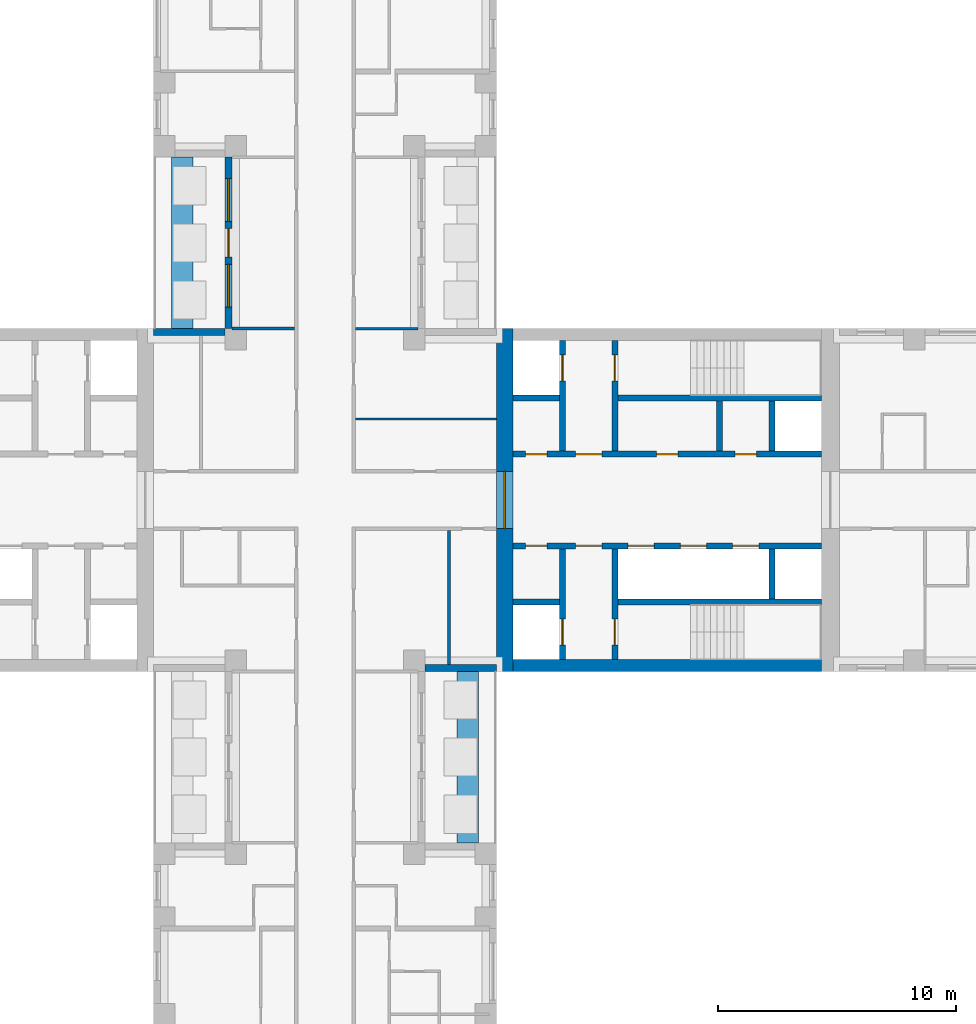
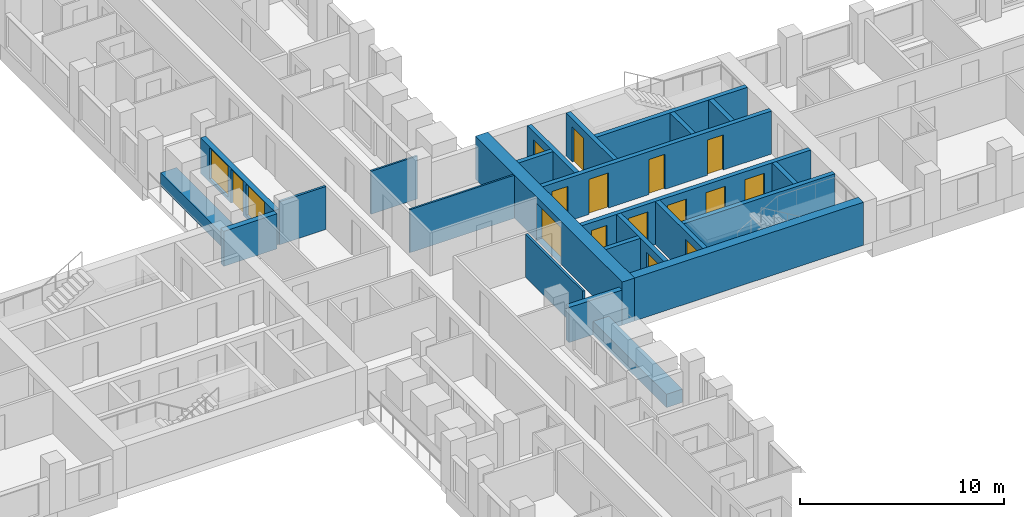
# One storey, part 8 of 15: 24 walls, 15 doors, 2 windows, 17 openings.
"""IFC4 building model written with IfcOpenShell, lengths in metres."""

from ifc_helpers import new_model, si_unit, direction, frame, frame_2d, origin, place, context, subcontext, project, spatial, rectangle, extrude, material, layer, layer_set, type_object, element, fill, save


model = new_model("IFC4")

# Units and contexts
model_context = context("Model", 3, precision=1e-05, world=origin(), true_north=direction((0.0, 1.0)))
body_context = subcontext(model_context, "Body", "Model", "MODEL_VIEW")
ifc_project = project(units=[si_unit("LENGTHUNIT", "METRE"), si_unit("AREAUNIT", "SQUARE_METRE"), si_unit("VOLUMEUNIT", "CUBIC_METRE"), si_unit("PLANEANGLEUNIT", "RADIAN"), si_unit("MASSUNIT", "GRAM", prefix="KILO")], contexts=[model_context])

# Site, building, storey
site_placement = place(None, origin())
site = spatial("IfcSite", under=ifc_project, at=site_placement, CompositionType="ELEMENT")
building_placement = place(site_placement, origin())
building = spatial("IfcBuilding", under=site, at=building_placement, Name="Fustian Cross Tower", CompositionType="ELEMENT")
storey_placement = place(building_placement, frame((0.0, 0.0, 29.699951171875)))
storey = spatial("IfcBuildingStorey", under=building, at=storey_placement, Name="L08", CompositionType="ELEMENT", Elevation=29.699951171875)

# Wall, opening, door
ifc_material_1 = material(Name="Concrete C80/95", Category="concrete")
ifc_layer_1 = layer(ifc_material_1, 0.699951171875)
ifc_layer_set_1 = layer_set([ifc_layer_1], Name="Concrete C80/95")
wall_type_1 = type_object("IfcWallType", Name="CORE END WALL 700 C80/95", PredefinedType="SHEAR", material=ifc_layer_set_1)
wall_1_placement = place(storey_placement, frame((7.550048828125, -7.199951171875, 0.0), z_axis=(0.0, 0.0, 1.0), x_axis=(0.0, 1.0, 0.0)))
wall_1 = element("IfcWall", 1, at=wall_1_placement, inside=storey, type_object=wall_type_1, Name="Core end wall", PredefinedType="SHEAR", context=body_context, shape_type="SweptSolid", body=[
    extrude(rectangle(XDim=14.39990234375, YDim=0.699951171875, at=frame_2d((7.199951171875, 0.0))), origin(), (0.0, 0.0, 1.0), 2.574951171875),
])
opening_1_placement = place(wall_1_placement, frame((6.0, 0.0, 0.0)))
opening_1 = element("IfcOpeningElement", 2, at=opening_1_placement, cuts=wall_1, Name="Opening CD-06-12", PredefinedType="OPENING", context=body_context, shape_type="SweptSolid", body=[
    extrude(rectangle(XDim=2.39990234375, YDim=2.199951171875, at=frame_2d((1.199951171875, 1.10009765625))), frame((0.0, 0.35986328125, 0.0), z_axis=(0.0, -1.0, 0.0), x_axis=(1.0, 0.0, 0.0)), (0.0, 0.0, 1.0), 0.719970703125),
])
ifc_material_2 = material(Name="Steel", Category="steel")
door_type_1 = type_object("IfcDoorType", Name="FIRE DOOR FD30S DOUBLE 2400X2200", OperationType="DOUBLE_DOOR_DOUBLE_SWING", PredefinedType="DOOR", material=ifc_material_2)
door_1_placement = place(opening_1_placement, frame((2.39990234375, 0.0, 0.0), z_axis=(0.0, 0.0, 1.0), x_axis=(-1.0, 0.0, 0.0)))
door_1 = element("IfcDoor", 3, at=door_1_placement, inside=storey, type_object=door_type_1, Name="Core door CD-06-12", OperationType="DOUBLE_DOOR_DOUBLE_SWING", OverallHeight=2.199951171875, OverallWidth=2.39990234375, PredefinedType="DOOR", context=body_context, shape_type="SweptSolid", body=[
    extrude(rectangle(XDim=2.39990234375, YDim=2.199951171875, at=frame_2d((1.199951171875, 1.10009765625))), frame((0.0, 0.02490234375, 0.0), z_axis=(0.0, -1.0, 0.0), x_axis=(1.0, 0.0, 0.0)), (0.0, 0.0, 1.0), 0.050048828125),
])
fill(opening_1, door_1)

# Wall
ifc_material_3 = material(Name="Concrete C80/95", Category="concrete")
ifc_layer_2 = layer(ifc_material_3, 0.5)
ifc_layer_set_2 = layer_set([ifc_layer_2], Name="Concrete C80/95")
wall_type_2 = type_object("IfcWallType", Name="CORE FACADE WALL 500 C80/95", PredefinedType="SHEAR", material=ifc_layer_set_2)
wall_2_placement = place(storey_placement, frame((7.89990234375, -6.949951171875, 0.0), z_axis=(0.0, 0.0, 1.0), x_axis=(1.0, 0.0, 0.0)))
element("IfcWall", 4, at=wall_2_placement, inside=storey, type_object=wall_type_2, Name="Core facade wall", PredefinedType="SHEAR", context=body_context, shape_type="SweptSolid", body=[
    extrude(rectangle(XDim=12.9501953125, YDim=0.5, at=frame_2d((6.47509765625, 0.0))), origin(), (0.0, 0.0, 1.0), 2.574951171875),
])

# Wall, openings, doors
ifc_material_4 = material(Name="Concrete C50/60", Category="concrete")
ifc_layer_3 = layer(ifc_material_4, 0.25)
ifc_layer_set_3 = layer_set([ifc_layer_3], Name="Concrete C50/60")
wall_type_3 = type_object("IfcWallType", Name="CORE LOBBY WALL 250 C50/60", PredefinedType="SHEAR", material=ifc_layer_set_3)
wall_3_placement = place(storey_placement, frame((7.89990234375, 1.925048828125, 0.0), z_axis=(0.0, 0.0, 1.0), x_axis=(1.0, 0.0, 0.0)))
wall_3 = element("IfcWall", 5, at=wall_3_placement, inside=storey, type_object=wall_type_3, Name="Core lobby wall", PredefinedType="SHEAR", context=body_context, shape_type="SweptSolid", body=[
    extrude(rectangle(XDim=12.9501953125, YDim=0.25, at=frame_2d((6.47509765625, 0.0))), origin(), (0.0, 0.0, 1.0), 2.574951171875),
])
opening_2_placement = place(wall_3_placement, frame((0.52490234375, 0.0, 0.0)))
opening_2 = element("IfcOpeningElement", 6, at=opening_2_placement, cuts=wall_3, Name="Opening CD-06-08", PredefinedType="OPENING", context=body_context, shape_type="SweptSolid", body=[
    extrude(rectangle(XDim=0.89990234375, YDim=2.10009765625, at=frame_2d((0.449951171875, 1.050048828125))), frame((0.0, 0.135009765625, 0.0), z_axis=(0.0, -1.0, 0.0), x_axis=(1.0, 0.0, 0.0)), (0.0, 0.0, 1.0), 0.27001953125),
])
opening_3_placement = place(wall_3_placement, frame((2.625, 0.0, 0.0)))
opening_3 = element("IfcOpeningElement", 7, at=opening_3_placement, cuts=wall_3, Name="Opening CD-06-10", PredefinedType="OPENING", context=body_context, shape_type="SweptSolid", body=[
    extrude(rectangle(XDim=1.10009765625, YDim=2.10009765625, at=frame_2d((0.550048828125, 1.050048828125))), frame((0.0, 0.135009765625, 0.0), z_axis=(0.0, -1.0, 0.0), x_axis=(1.0, 0.0, 0.0)), (0.0, 0.0, 1.0), 0.27001953125),
])
opening_4_placement = place(wall_3_placement, frame((6.02490234375, 0.0, 0.0)))
opening_4 = element("IfcOpeningElement", 8, at=opening_4_placement, cuts=wall_3, Name="Opening CD-06-14", PredefinedType="OPENING", context=body_context, shape_type="SweptSolid", body=[
    extrude(rectangle(XDim=0.89990234375, YDim=2.10009765625, at=frame_2d((0.449951171875, 1.050048828125))), frame((0.0, 0.135009765625, 0.0), z_axis=(0.0, -1.0, 0.0), x_axis=(1.0, 0.0, 0.0)), (0.0, 0.0, 1.0), 0.27001953125),
])
opening_5_placement = place(wall_3_placement, frame((9.324951171875, 0.0, 0.0)))
opening_5 = element("IfcOpeningElement", 9, at=opening_5_placement, cuts=wall_3, Name="Opening CD-06-15", PredefinedType="OPENING", context=body_context, shape_type="SweptSolid", body=[
    extrude(rectangle(XDim=0.89990234375, YDim=2.10009765625, at=frame_2d((0.449951171875, 1.050048828125))), frame((0.0, 0.135009765625, 0.0), z_axis=(0.0, -1.0, 0.0), x_axis=(1.0, 0.0, 0.0)), (0.0, 0.0, 1.0), 0.27001953125),
])
ifc_material_5 = material(Name="Steel", Category="steel")
door_type_2 = type_object("IfcDoorType", Name="FIRE DOOR FD30S 900X2100", OperationType="SINGLE_SWING_LEFT", PredefinedType="DOOR", material=ifc_material_5)
door_2_placement = place(opening_4_placement, origin())
door_2 = element("IfcDoor", 10, at=door_2_placement, inside=storey, type_object=door_type_2, Name="Core door CD-06-14", OperationType="SINGLE_SWING_RIGHT", OverallHeight=2.10009765625, OverallWidth=0.89990234375, PredefinedType="DOOR", context=body_context, shape_type="SweptSolid", body=[
    extrude(rectangle(XDim=0.89990234375, YDim=2.10009765625, at=frame_2d((0.449951171875, 1.050048828125))), frame((0.0, 0.02490234375, 0.0), z_axis=(0.0, -1.0, 0.0), x_axis=(1.0, 0.0, 0.0)), (0.0, 0.0, 1.0), 0.050048828125),
])
fill(opening_4, door_2)
door_3_placement = place(opening_5_placement, origin())
door_3 = element("IfcDoor", 11, at=door_3_placement, inside=storey, type_object=door_type_2, Name="Core door CD-06-15", OperationType="SINGLE_SWING_LEFT", OverallHeight=2.10009765625, OverallWidth=0.89990234375, PredefinedType="DOOR", context=body_context, shape_type="SweptSolid", body=[
    extrude(rectangle(XDim=0.89990234375, YDim=2.10009765625, at=frame_2d((0.449951171875, 1.050048828125))), frame((0.0, 0.02490234375, 0.0), z_axis=(0.0, -1.0, 0.0), x_axis=(1.0, 0.0, 0.0)), (0.0, 0.0, 1.0), 0.050048828125),
])
fill(opening_5, door_3)
ifc_material_6 = material(Name="Steel", Category="steel")
door_type_3 = type_object("IfcDoorType", Name="FIRE DOOR FD60S 1100X2100", OperationType="SINGLE_SWING_LEFT", PredefinedType="DOOR", material=ifc_material_6)
door_4_placement = place(opening_3_placement, frame((1.10009765625, 0.0, 0.0), z_axis=(0.0, 0.0, 1.0), x_axis=(-1.0, 0.0, 0.0)))
door_4 = element("IfcDoor", 12, at=door_4_placement, inside=storey, type_object=door_type_3, Name="Core door CD-06-10", OperationType="SINGLE_SWING_RIGHT", OverallHeight=2.10009765625, OverallWidth=1.10009765625, PredefinedType="DOOR", context=body_context, shape_type="SweptSolid", body=[
    extrude(rectangle(XDim=1.10009765625, YDim=2.10009765625, at=frame_2d((0.550048828125, 1.050048828125))), frame((0.0, 0.02490234375, 0.0), z_axis=(0.0, -1.0, 0.0), x_axis=(1.0, 0.0, 0.0)), (0.0, 0.0, 1.0), 0.050048828125),
])
fill(opening_3, door_4)
ifc_material_7 = material(Name="Steel", Category="steel")
door_type_4 = type_object("IfcDoorType", Name="FIRE DOOR FD60S 900X2100", OperationType="SINGLE_SWING_LEFT", PredefinedType="DOOR", material=ifc_material_7)
door_5_placement = place(opening_2_placement, origin())
door_5 = element("IfcDoor", 13, at=door_5_placement, inside=storey, type_object=door_type_4, Name="Core door CD-06-08", OperationType="SINGLE_SWING_LEFT", OverallHeight=2.10009765625, OverallWidth=0.89990234375, PredefinedType="DOOR", context=body_context, shape_type="SweptSolid", body=[
    extrude(rectangle(XDim=0.89990234375, YDim=2.10009765625, at=frame_2d((0.449951171875, 1.050048828125))), frame((0.0, 0.02490234375, 0.0), z_axis=(0.0, -1.0, 0.0), x_axis=(1.0, 0.0, 0.0)), (0.0, 0.0, 1.0), 0.050048828125),
])
fill(opening_2, door_5)

wall_4_placement = place(storey_placement, frame((7.89990234375, -1.925048828125, 0.0), z_axis=(0.0, 0.0, 1.0), x_axis=(1.0, 0.0, 0.0)))
wall_4 = element("IfcWall", 14, at=wall_4_placement, inside=storey, type_object=wall_type_3, Name="Core lobby wall", PredefinedType="SHEAR", context=body_context, shape_type="SweptSolid", body=[
    extrude(rectangle(XDim=12.9501953125, YDim=0.25, at=frame_2d((6.47509765625, 0.0))), origin(), (0.0, 0.0, 1.0), 2.574951171875),
])
opening_6_placement = place(wall_4_placement, frame((4.824951171875, 0.0, 0.0)))
opening_6 = element("IfcOpeningElement", 15, at=opening_6_placement, cuts=wall_4, Name="Opening LD", PredefinedType="OPENING", context=body_context, shape_type="SweptSolid", body=[
    extrude(rectangle(XDim=1.10009765625, YDim=2.10009765625, at=frame_2d((0.550048828125, 1.050048828125))), frame((0.0, 0.135009765625, 0.0), z_axis=(0.0, -1.0, 0.0), x_axis=(1.0, 0.0, 0.0)), (0.0, 0.0, 1.0), 0.27001953125),
])
opening_7_placement = place(wall_4_placement, frame((7.02490234375, 0.0, 0.0)))
opening_7 = element("IfcOpeningElement", 16, at=opening_7_placement, cuts=wall_4, Name="Opening LD", PredefinedType="OPENING", context=body_context, shape_type="SweptSolid", body=[
    extrude(rectangle(XDim=1.10009765625, YDim=2.10009765625, at=frame_2d((0.550048828125, 1.050048828125))), frame((0.0, 0.135009765625, 0.0), z_axis=(0.0, -1.0, 0.0), x_axis=(1.0, 0.0, 0.0)), (0.0, 0.0, 1.0), 0.27001953125),
])
opening_8_placement = place(wall_4_placement, frame((9.22509765625, 0.0, 0.0)))
opening_8 = element("IfcOpeningElement", 17, at=opening_8_placement, cuts=wall_4, Name="Opening LD", PredefinedType="OPENING", context=body_context, shape_type="SweptSolid", body=[
    extrude(rectangle(XDim=1.10009765625, YDim=2.10009765625, at=frame_2d((0.550048828125, 1.050048828125))), frame((0.0, 0.135009765625, 0.0), z_axis=(0.0, -1.0, 0.0), x_axis=(1.0, 0.0, 0.0)), (0.0, 0.0, 1.0), 0.27001953125),
])
opening_9_placement = place(wall_4_placement, frame((0.52490234375, 0.0, 0.0)))
opening_9 = element("IfcOpeningElement", 18, at=opening_9_placement, cuts=wall_4, Name="Opening CD-06-09", PredefinedType="OPENING", context=body_context, shape_type="SweptSolid", body=[
    extrude(rectangle(XDim=0.89990234375, YDim=2.10009765625, at=frame_2d((0.449951171875, 1.050048828125))), frame((0.0, 0.135009765625, 0.0), z_axis=(0.0, -1.0, 0.0), x_axis=(1.0, 0.0, 0.0)), (0.0, 0.0, 1.0), 0.27001953125),
])
opening_10_placement = place(wall_4_placement, frame((2.625, 0.0, 0.0)))
opening_10 = element("IfcOpeningElement", 19, at=opening_10_placement, cuts=wall_4, Name="Opening CD-06-11", PredefinedType="OPENING", context=body_context, shape_type="SweptSolid", body=[
    extrude(rectangle(XDim=1.10009765625, YDim=2.10009765625, at=frame_2d((0.550048828125, 1.050048828125))), frame((0.0, 0.135009765625, 0.0), z_axis=(0.0, -1.0, 0.0), x_axis=(1.0, 0.0, 0.0)), (0.0, 0.0, 1.0), 0.27001953125),
])
ifc_material_8 = material(Name="Steel", Category="steel")
door_type_5 = type_object("IfcDoorType", Name="FIRE DOOR FD30S 1100X2100", OperationType="SINGLE_SWING_LEFT", PredefinedType="DOOR", material=ifc_material_8)
door_6_placement = place(opening_10_placement, frame((1.10009765625, 0.0, 0.0), z_axis=(0.0, 0.0, 1.0), x_axis=(-1.0, 0.0, 0.0)))
door_6 = element("IfcDoor", 20, at=door_6_placement, inside=storey, type_object=door_type_5, Name="Core door CD-06-11", OperationType="SINGLE_SWING_RIGHT", OverallHeight=2.10009765625, OverallWidth=1.10009765625, PredefinedType="DOOR", context=body_context, shape_type="SweptSolid", body=[
    extrude(rectangle(XDim=1.10009765625, YDim=2.10009765625, at=frame_2d((0.550048828125, 1.050048828125))), frame((0.0, 0.02490234375, 0.0), z_axis=(0.0, -1.0, 0.0), x_axis=(1.0, 0.0, 0.0)), (0.0, 0.0, 1.0), 0.050048828125),
])
fill(opening_10, door_6)
door_7_placement = place(opening_9_placement, frame((0.89990234375, 0.0, 0.0), z_axis=(0.0, 0.0, 1.0), x_axis=(-1.0, 0.0, 0.0)))
door_7 = element("IfcDoor", 21, at=door_7_placement, inside=storey, type_object=door_type_2, Name="Core door CD-06-09", OperationType="SINGLE_SWING_RIGHT", OverallHeight=2.10009765625, OverallWidth=0.89990234375, PredefinedType="DOOR", context=body_context, shape_type="SweptSolid", body=[
    extrude(rectangle(XDim=0.89990234375, YDim=2.10009765625, at=frame_2d((0.449951171875, 1.050048828125))), frame((0.0, 0.02490234375, 0.0), z_axis=(0.0, -1.0, 0.0), x_axis=(1.0, 0.0, 0.0)), (0.0, 0.0, 1.0), 0.050048828125),
])
fill(opening_9, door_7)
ifc_material_9 = material(Name="Stainless steel", Category="steel")
door_type_6 = type_object("IfcDoorType", Name="LIFT LANDING DOOR 1100X2100", OperationType="SLIDING_TO_LEFT", PredefinedType="DOOR", material=ifc_material_9)
door_8_placement = place(opening_6_placement, origin())
door_8 = element("IfcDoor", 22, at=door_8_placement, inside=storey, type_object=door_type_6, Name="Landing door LR1", OperationType="SLIDING_TO_LEFT", OverallHeight=2.10009765625, OverallWidth=1.10009765625, PredefinedType="DOOR", context=body_context, shape_type="SweptSolid", body=[
    extrude(rectangle(XDim=1.10009765625, YDim=2.10009765625, at=frame_2d((0.550048828125, 1.050048828125))), frame((0.0, 0.02490234375, 0.0), z_axis=(0.0, -1.0, 0.0), x_axis=(1.0, 0.0, 0.0)), (0.0, 0.0, 1.0), 0.050048828125),
])
fill(opening_6, door_8)
door_9_placement = place(opening_7_placement, origin())
door_9 = element("IfcDoor", 23, at=door_9_placement, inside=storey, type_object=door_type_6, Name="Landing door LR2", OperationType="SLIDING_TO_LEFT", OverallHeight=2.10009765625, OverallWidth=1.10009765625, PredefinedType="DOOR", context=body_context, shape_type="SweptSolid", body=[
    extrude(rectangle(XDim=1.10009765625, YDim=2.10009765625, at=frame_2d((0.550048828125, 1.050048828125))), frame((0.0, 0.02490234375, 0.0), z_axis=(0.0, -1.0, 0.0), x_axis=(1.0, 0.0, 0.0)), (0.0, 0.0, 1.0), 0.050048828125),
])
fill(opening_7, door_9)
door_10_placement = place(opening_8_placement, origin())
door_10 = element("IfcDoor", 24, at=door_10_placement, inside=storey, type_object=door_type_6, Name="Landing door LR3", OperationType="SLIDING_TO_LEFT", OverallHeight=2.10009765625, OverallWidth=1.10009765625, PredefinedType="DOOR", context=body_context, shape_type="SweptSolid", body=[
    extrude(rectangle(XDim=1.10009765625, YDim=2.10009765625, at=frame_2d((0.550048828125, 1.050048828125))), frame((0.0, 0.02490234375, 0.0), z_axis=(0.0, -1.0, 0.0), x_axis=(1.0, 0.0, 0.0)), (0.0, 0.0, 1.0), 0.050048828125),
])
fill(opening_8, door_10)

# Walls
ifc_material_10 = material(Name="Concrete C50/60", Category="concrete")
ifc_layer_4 = layer(ifc_material_10, 0.25)
ifc_layer_set_4 = layer_set([ifc_layer_4], Name="Concrete C50/60")
wall_type_4 = type_object("IfcWallType", Name="CORE SHAFT WALL 250 C50/60", PredefinedType="SHEAR", material=ifc_layer_set_4)
wall_5_placement = place(storey_placement, frame((7.89990234375, 4.27490234375, 0.0), z_axis=(0.0, 0.0, 1.0), x_axis=(1.0, 0.0, 0.0)))
element("IfcWall", 25, at=wall_5_placement, inside=storey, type_object=wall_type_4, Name="Core shaft wall", PredefinedType="SHEAR", context=body_context, shape_type="SweptSolid", body=[
    extrude(rectangle(XDim=1.9501953125, YDim=0.25, at=frame_2d((0.97509765625, 0.0))), origin(), (0.0, 0.0, 1.0), 2.574951171875),
])
wall_6_placement = place(storey_placement, frame((12.300048828125, 4.27490234375, 0.0), z_axis=(0.0, 0.0, 1.0), x_axis=(1.0, 0.0, 0.0)))
element("IfcWall", 26, at=wall_6_placement, inside=storey, type_object=wall_type_4, Name="Core shaft wall", PredefinedType="SHEAR", context=body_context, shape_type="SweptSolid", body=[
    extrude(rectangle(XDim=8.550048828125, YDim=0.25, at=frame_2d((4.27490234375, 0.0))), origin(), (0.0, 0.0, 1.0), 2.574951171875),
])

# Wall, opening, door
wall_7_placement = place(storey_placement, frame((9.97509765625, 2.050048828125, 0.0), z_axis=(0.0, 0.0, 1.0), x_axis=(0.0, 1.0, 0.0)))
wall_7 = element("IfcWall", 27, at=wall_7_placement, inside=storey, type_object=wall_type_4, Name="Core shaft wall", PredefinedType="SHEAR", context=body_context, shape_type="SweptSolid", body=[
    extrude(rectangle(XDim=4.64990234375, YDim=0.25, at=frame_2d((2.324951171875, 0.0))), origin(), (0.0, 0.0, 1.0), 2.574951171875),
])
opening_11_placement = place(wall_7_placement, frame((2.949951171875, 0.0, 0.0)))
opening_11 = element("IfcOpeningElement", 28, at=opening_11_placement, cuts=wall_7, Name="Opening LD", PredefinedType="OPENING", context=body_context, shape_type="SweptSolid", body=[
    extrude(rectangle(XDim=1.10009765625, YDim=2.10009765625, at=frame_2d((0.550048828125, 1.050048828125))), frame((0.0, 0.135009765625, 0.0), z_axis=(0.0, -1.0, 0.0), x_axis=(1.0, 0.0, 0.0)), (0.0, 0.0, 1.0), 0.27001953125),
])
door_11_placement = place(opening_11_placement, origin())
door_11 = element("IfcDoor", 29, at=door_11_placement, inside=storey, type_object=door_type_6, Name="Landing door FL1", OperationType="SLIDING_TO_LEFT", OverallHeight=2.10009765625, OverallWidth=1.10009765625, PredefinedType="DOOR", context=body_context, shape_type="SweptSolid", body=[
    extrude(rectangle(XDim=1.10009765625, YDim=2.10009765625, at=frame_2d((0.550048828125, 1.050048828125))), frame((0.0, 0.02490234375, 0.0), z_axis=(0.0, -1.0, 0.0), x_axis=(1.0, 0.0, 0.0)), (0.0, 0.0, 1.0), 0.050048828125),
])
fill(opening_11, door_11)

wall_8_placement = place(storey_placement, frame((12.175048828125, 2.050048828125, 0.0), z_axis=(0.0, 0.0, 1.0), x_axis=(0.0, 1.0, 0.0)))
wall_8 = element("IfcWall", 30, at=wall_8_placement, inside=storey, type_object=wall_type_4, Name="Core shaft wall", PredefinedType="SHEAR", context=body_context, shape_type="SweptSolid", body=[
    extrude(rectangle(XDim=4.64990234375, YDim=0.25, at=frame_2d((2.324951171875, 0.0))), origin(), (0.0, 0.0, 1.0), 2.574951171875),
])
opening_12_placement = place(wall_8_placement, frame((2.949951171875, 0.0, 0.0)))
opening_12 = element("IfcOpeningElement", 31, at=opening_12_placement, cuts=wall_8, Name="Opening CD-06-06", PredefinedType="OPENING", context=body_context, shape_type="SweptSolid", body=[
    extrude(rectangle(XDim=1.10009765625, YDim=2.10009765625, at=frame_2d((0.550048828125, 1.050048828125))), frame((0.0, 0.135009765625, 0.0), z_axis=(0.0, -1.0, 0.0), x_axis=(1.0, 0.0, 0.0)), (0.0, 0.0, 1.0), 0.27001953125),
])
door_12_placement = place(opening_12_placement, frame((1.10009765625, 0.0, 0.0), z_axis=(0.0, 0.0, 1.0), x_axis=(-1.0, 0.0, 0.0)))
door_12 = element("IfcDoor", 32, at=door_12_placement, inside=storey, type_object=door_type_3, Name="Core door CD-06-06", OperationType="SINGLE_SWING_RIGHT", OverallHeight=2.10009765625, OverallWidth=1.10009765625, PredefinedType="DOOR", context=body_context, shape_type="SweptSolid", body=[
    extrude(rectangle(XDim=1.10009765625, YDim=2.10009765625, at=frame_2d((0.550048828125, 1.050048828125))), frame((0.0, 0.02490234375, 0.0), z_axis=(0.0, -1.0, 0.0), x_axis=(1.0, 0.0, 0.0)), (0.0, 0.0, 1.0), 0.050048828125),
])
fill(opening_12, door_12)

# Walls
wall_9_placement = place(storey_placement, frame((7.89990234375, -4.27490234375, 0.0), z_axis=(0.0, 0.0, 1.0), x_axis=(1.0, 0.0, 0.0)))
element("IfcWall", 33, at=wall_9_placement, inside=storey, type_object=wall_type_4, Name="Core shaft wall", PredefinedType="SHEAR", context=body_context, shape_type="SweptSolid", body=[
    extrude(rectangle(XDim=1.9501953125, YDim=0.25, at=frame_2d((0.97509765625, 0.0))), origin(), (0.0, 0.0, 1.0), 2.574951171875),
])
wall_10_placement = place(storey_placement, frame((12.300048828125, -4.27490234375, 0.0), z_axis=(0.0, 0.0, 1.0), x_axis=(1.0, 0.0, 0.0)))
element("IfcWall", 34, at=wall_10_placement, inside=storey, type_object=wall_type_4, Name="Core shaft wall", PredefinedType="SHEAR", context=body_context, shape_type="SweptSolid", body=[
    extrude(rectangle(XDim=8.550048828125, YDim=0.25, at=frame_2d((4.27490234375, 0.0))), origin(), (0.0, 0.0, 1.0), 2.574951171875),
])

# Wall, opening, door
wall_11_placement = place(storey_placement, frame((9.97509765625, -2.050048828125, 0.0), z_axis=(0.0, 0.0, 1.0), x_axis=(0.0, -1.0, 0.0)))
wall_11 = element("IfcWall", 35, at=wall_11_placement, inside=storey, type_object=wall_type_4, Name="Core shaft wall", PredefinedType="SHEAR", context=body_context, shape_type="SweptSolid", body=[
    extrude(rectangle(XDim=4.64990234375, YDim=0.25, at=frame_2d((2.324951171875, 0.0))), origin(), (0.0, 0.0, 1.0), 2.574951171875),
])
opening_13_placement = place(wall_11_placement, frame((2.949951171875, 0.0, 0.0)))
opening_13 = element("IfcOpeningElement", 36, at=opening_13_placement, cuts=wall_11, Name="Opening LD", PredefinedType="OPENING", context=body_context, shape_type="SweptSolid", body=[
    extrude(rectangle(XDim=1.10009765625, YDim=2.10009765625, at=frame_2d((0.550048828125, 1.050048828125))), frame((0.0, 0.135009765625, 0.0), z_axis=(0.0, -1.0, 0.0), x_axis=(1.0, 0.0, 0.0)), (0.0, 0.0, 1.0), 0.27001953125),
])
door_13_placement = place(opening_13_placement, origin())
door_13 = element("IfcDoor", 37, at=door_13_placement, inside=storey, type_object=door_type_6, Name="Landing door SV1", OperationType="SLIDING_TO_LEFT", OverallHeight=2.10009765625, OverallWidth=1.10009765625, PredefinedType="DOOR", context=body_context, shape_type="SweptSolid", body=[
    extrude(rectangle(XDim=1.10009765625, YDim=2.10009765625, at=frame_2d((0.550048828125, 1.050048828125))), frame((0.0, 0.02490234375, 0.0), z_axis=(0.0, -1.0, 0.0), x_axis=(1.0, 0.0, 0.0)), (0.0, 0.0, 1.0), 0.050048828125),
])
fill(opening_13, door_13)

wall_12_placement = place(storey_placement, frame((12.175048828125, -2.050048828125, 0.0), z_axis=(0.0, 0.0, 1.0), x_axis=(0.0, -1.0, 0.0)))
wall_12 = element("IfcWall", 38, at=wall_12_placement, inside=storey, type_object=wall_type_4, Name="Core shaft wall", PredefinedType="SHEAR", context=body_context, shape_type="SweptSolid", body=[
    extrude(rectangle(XDim=4.64990234375, YDim=0.25, at=frame_2d((2.324951171875, 0.0))), origin(), (0.0, 0.0, 1.0), 2.574951171875),
])
opening_14_placement = place(wall_12_placement, frame((2.949951171875, 0.0, 0.0)))
opening_14 = element("IfcOpeningElement", 39, at=opening_14_placement, cuts=wall_12, Name="Opening CD-06-07", PredefinedType="OPENING", context=body_context, shape_type="SweptSolid", body=[
    extrude(rectangle(XDim=1.10009765625, YDim=2.10009765625, at=frame_2d((0.550048828125, 1.050048828125))), frame((0.0, 0.135009765625, 0.0), z_axis=(0.0, -1.0, 0.0), x_axis=(1.0, 0.0, 0.0)), (0.0, 0.0, 1.0), 0.27001953125),
])
door_14_placement = place(opening_14_placement, origin())
door_14 = element("IfcDoor", 40, at=door_14_placement, inside=storey, type_object=door_type_3, Name="Core door CD-06-07", OperationType="SINGLE_SWING_LEFT", OverallHeight=2.10009765625, OverallWidth=1.10009765625, PredefinedType="DOOR", context=body_context, shape_type="SweptSolid", body=[
    extrude(rectangle(XDim=1.10009765625, YDim=2.10009765625, at=frame_2d((0.550048828125, 1.050048828125))), frame((0.0, 0.02490234375, 0.0), z_axis=(0.0, -1.0, 0.0), x_axis=(1.0, 0.0, 0.0)), (0.0, 0.0, 1.0), 0.050048828125),
])
fill(opening_14, door_14)

# Walls
ifc_material_11 = material(Name="Plasterboard on steel stud", Category="steel")
ifc_layer_5 = layer(ifc_material_11, 0.10009765625)
ifc_layer_set_5 = layer_set([ifc_layer_5], Name="Plasterboard on steel stud")
wall_type_5 = type_object("IfcWallType", Name="PARTITION 100 STUD", PredefinedType="PARTITIONING", material=ifc_layer_set_5)
wall_13_placement = place(storey_placement, frame((1.27490234375, 3.39990234375, 0.0), z_axis=(0.0, 0.0, 1.0), x_axis=(1.0, 0.0, 0.0)))
element("IfcWall", 41, at=wall_13_placement, inside=storey, type_object=wall_type_5, Name="Partition 56", PredefinedType="PARTITIONING", context=body_context, shape_type="SweptSolid", body=[
    extrude(rectangle(XDim=5.925048828125, YDim=0.10009765625, at=frame_2d((2.96240234375, 0.0))), origin(), (0.0, 0.0, 1.0), 2.574951171875),
])
wall_14_placement = place(storey_placement, frame((1.27490234375, 7.199951171875, 0.0), z_axis=(0.0, 0.0, 1.0), x_axis=(1.0, 0.0, 0.0)))
element("IfcWall", 42, at=wall_14_placement, inside=storey, type_object=wall_type_5, Name="Partition 57", PredefinedType="PARTITIONING", context=body_context, shape_type="SweptSolid", body=[
    extrude(rectangle(XDim=2.625, YDim=0.10009765625, at=frame_2d((1.3125, 0.0))), origin(), (0.0, 0.0, 1.0), 2.574951171875),
])
ifc_material_12 = material(Name="Concrete C40/50", Category="concrete")
ifc_layer_6 = layer(ifc_material_12, 0.89990234375)
ifc_layer_set_6 = layer_set([ifc_layer_6], Name="Concrete C40/50")
wall_type_6 = type_object("IfcWallType", Name="PK1 PLANTER 900", PredefinedType="PARAPET", material=ifc_layer_set_6)
for number, where, z_axis, x_axis, name in (
    (43, (-6.0, 7.199951171875, 0.0), (0.0, 0.0, 1.0), (0.0, 1.0, 0.0), "PLANTER"),
    (44, (6.0, -14.39990234375, 0.0), (0.0, 0.0, 1.0), (0.0, 1.0, 0.0), "PLANTER"),
):
    element("IfcWall", number, at=place(storey_placement, frame(where, z_axis=z_axis, x_axis=x_axis)), inside=storey, type_object=wall_type_6, Name=name, PredefinedType="PARAPET", context=body_context, shape_type="SweptSolid", body=[
        extrude(rectangle(XDim=7.199951171875, YDim=0.89990234375, at=frame_2d((3.60009765625, 0.0))), origin(), (0.0, 0.0, 1.0), 0.800048828125),
    ])
ifc_material_13 = material(Name="Concrete C40/50", Category="concrete")
ifc_layer_7 = layer(ifc_material_13, 0.25)
ifc_layer_set_7 = layer_set([ifc_layer_7], Name="Concrete C40/50")
wall_type_7 = type_object("IfcWallType", Name="SHAFT PARTITION WALL 250 C40/50", PredefinedType="PARTITIONING", material=ifc_layer_set_7)
for number, where, z_axis, x_axis, name in (
    (45, (16.574951171875, 2.050048828125, 0.0), (0.0, 0.0, 1.0), (0.0, 1.0, 0.0), "Core shaft wall"),
    (46, (18.77490234375, 2.050048828125, 0.0), (0.0, 0.0, 1.0), (0.0, 1.0, 0.0), "Core shaft wall"),
    (47, (18.77490234375, -2.050048828125, 0.0), (0.0, 0.0, 1.0), (0.0, -1.0, 0.0), "Core shaft wall"),
):
    element("IfcWall", number, at=place(storey_placement, frame(where, z_axis=z_axis, x_axis=x_axis)), inside=storey, type_object=wall_type_7, Name=name, PredefinedType="PARTITIONING", context=body_context, shape_type="SweptSolid", body=[
        extrude(rectangle(XDim=2.099853515625, YDim=0.25, at=frame_2d((1.0498046875, 0.0))), origin(), (0.0, 0.0, 1.0), 2.574951171875),
    ])
ifc_material_14 = material(Name="Plasterboard on steel stud", Category="steel")
ifc_layer_8 = layer(ifc_material_14, 0.125)
ifc_layer_set_8 = layer_set([ifc_layer_8], Name="Plasterboard on steel stud")
wall_type_8 = type_object("IfcWallType", Name="WET WALL 125 STUD", PredefinedType="PARTITIONING", material=ifc_layer_set_8)
wall_15_placement = place(storey_placement, frame((-3.89990234375, 7.199951171875, 0.0), z_axis=(0.0, 0.0, 1.0), x_axis=(1.0, 0.0, 0.0)))
element("IfcWall", 48, at=wall_15_placement, inside=storey, type_object=wall_type_8, Name="Partition 37", PredefinedType="PARTITIONING", context=body_context, shape_type="SweptSolid", body=[
    extrude(rectangle(XDim=2.625, YDim=0.125, at=frame_2d((1.3125, 0.0))), origin(), (0.0, 0.0, 1.0), 2.574951171875),
])
wall_16_placement = place(storey_placement, frame((5.199951171875, -6.89990234375, 0.0), z_axis=(0.0, 0.0, 1.0), x_axis=(0.0, 1.0, 0.0)))
element("IfcWall", 49, at=wall_16_placement, inside=storey, type_object=wall_type_8, Name="Partition 87", PredefinedType="PARTITIONING", context=body_context, shape_type="SweptSolid", body=[
    extrude(rectangle(XDim=5.625, YDim=0.125, at=frame_2d((2.8125, 0.0))), origin(), (0.0, 0.0, 1.0), 2.574951171875),
])

# Wall, openings, door, windows
ifc_material_15 = material(Name="Dark aluminium cladding on insulated backing wall", Category="aluminium")
ifc_layer_9 = layer(ifc_material_15, 0.300048828125)
ifc_layer_set_9 = layer_set([ifc_layer_9], Name="Dark aluminium cladding on insulated backing wall")
wall_type_9 = type_object("IfcWallType", Name="XW1 EXTERNAL WALL 300", PredefinedType="SOLIDWALL", material=ifc_layer_set_9)
wall_17_placement = place(storey_placement, frame((-4.050048828125, 14.39990234375, 0.0), z_axis=(0.0, 0.0, 1.0), x_axis=(0.0, -1.0, 0.0)))
wall_17 = element("IfcWall", 50, at=wall_17_placement, inside=storey, type_object=wall_type_9, Name="External wall", PredefinedType="SOLIDWALL", context=body_context, shape_type="SweptSolid", body=[
    extrude(rectangle(XDim=7.199951171875, YDim=0.300048828125, at=frame_2d((3.60009765625, 0.0))), origin(), (0.0, 0.0, 1.0), 2.10009765625),
])
opening_15_placement = place(wall_17_placement, frame((3.0, 0.0, 0.0)))
opening_15 = element("IfcOpeningElement", 51, at=opening_15_placement, cuts=wall_17, Name="Opening XD2", PredefinedType="OPENING", context=body_context, shape_type="SweptSolid", body=[
    extrude(rectangle(XDim=1.199951171875, YDim=2.050048828125, at=frame_2d((0.60009765625, 1.02490234375))), frame((0.0, 0.159912109375, 0.0), z_axis=(0.0, -1.0, 0.0), x_axis=(1.0, 0.0, 0.0)), (0.0, 0.0, 1.0), 0.320068359375),
])
opening_16_placement = place(wall_17_placement, frame((0.89990234375, 0.0, 0.199951171875)))
opening_16 = element("IfcOpeningElement", 52, at=opening_16_placement, cuts=wall_17, Name="Opening WN2", PredefinedType="OPENING", context=body_context, shape_type="SweptSolid", body=[
    extrude(rectangle(XDim=1.800048828125, YDim=1.85009765625, at=frame_2d((0.89990234375, 0.925048828125))), frame((0.0, 0.159912109375, 0.0), z_axis=(0.0, -1.0, 0.0), x_axis=(1.0, 0.0, 0.0)), (0.0, 0.0, 1.0), 0.320068359375),
])
opening_17_placement = place(wall_17_placement, frame((4.5, 0.0, 0.199951171875)))
opening_17 = element("IfcOpeningElement", 53, at=opening_17_placement, cuts=wall_17, Name="Opening WN2", PredefinedType="OPENING", context=body_context, shape_type="SweptSolid", body=[
    extrude(rectangle(XDim=1.800048828125, YDim=1.85009765625, at=frame_2d((0.89990234375, 0.925048828125))), frame((0.0, 0.159912109375, 0.0), z_axis=(0.0, -1.0, 0.0), x_axis=(1.0, 0.0, 0.0)), (0.0, 0.0, 1.0), 0.320068359375),
])
ifc_material_16 = material(Name="Dark anodised aluminium and double glazing", Category="aluminium")
door_type_7 = type_object("IfcDoorType", Name="ED1 BALCONY DOOR 1200X2050", OperationType="SINGLE_SWING_LEFT", PredefinedType="DOOR", material=ifc_material_16)
door_15_placement = place(opening_15_placement, origin())
door_15 = element("IfcDoor", 54, at=door_15_placement, inside=storey, type_object=door_type_7, Name="Balcony door", OperationType="SINGLE_SWING_LEFT", OverallHeight=2.050048828125, OverallWidth=1.199951171875, PredefinedType="DOOR", context=body_context, shape_type="SweptSolid", body=[
    extrude(rectangle(XDim=1.199951171875, YDim=2.050048828125, at=frame_2d((0.60009765625, 1.02490234375))), frame((0.0, 0.02490234375, 0.0), z_axis=(0.0, -1.0, 0.0), x_axis=(1.0, 0.0, 0.0)), (0.0, 0.0, 1.0), 0.050048828125),
])
fill(opening_15, door_15)
ifc_material_17 = material(Name="Dark anodised aluminium and double glazing", Category="aluminium")
window_type = type_object("IfcWindowType", Name="WN2 WINDOW 1800X1850", PartitioningType="SINGLE_PANEL", PredefinedType="WINDOW", material=ifc_material_17)
window_1_placement = place(opening_16_placement, origin())
window_1 = element("IfcWindow", 55, at=window_1_placement, inside=storey, type_object=window_type, Name="Window", OverallHeight=1.85009765625, OverallWidth=1.800048828125, PartitioningType="SINGLE_PANEL", PredefinedType="WINDOW", context=body_context, shape_type="SweptSolid", body=[
    extrude(rectangle(XDim=1.800048828125, YDim=1.85009765625, at=frame_2d((0.89990234375, 0.925048828125))), frame((0.0, 0.030029296875, 0.0), z_axis=(0.0, -1.0, 0.0), x_axis=(1.0, 0.0, 0.0)), (0.0, 0.0, 1.0), 0.06005859375),
])
fill(opening_16, window_1)
window_2_placement = place(opening_17_placement, origin())
window_2 = element("IfcWindow", 56, at=window_2_placement, inside=storey, type_object=window_type, Name="Window", OverallHeight=1.85009765625, OverallWidth=1.800048828125, PartitioningType="SINGLE_PANEL", PredefinedType="WINDOW", context=body_context, shape_type="SweptSolid", body=[
    extrude(rectangle(XDim=1.800048828125, YDim=1.85009765625, at=frame_2d((0.89990234375, 0.925048828125))), frame((0.0, 0.030029296875, 0.0), z_axis=(0.0, -1.0, 0.0), x_axis=(1.0, 0.0, 0.0)), (0.0, 0.0, 1.0), 0.06005859375),
])
fill(opening_17, window_2)

# Walls
for number, where, z_axis, x_axis, name in (
    (57, (-4.199951171875, 7.050048828125, 0.0), (0.0, 0.0, 1.0), (-1.0, 0.0, 0.0), "External wall"),
    (58, (4.199951171875, -7.050048828125, 0.0), (0.0, 0.0, 1.0), (1.0, 0.0, 0.0), "External wall"),
):
    element("IfcWall", number, at=place(storey_placement, frame(where, z_axis=z_axis, x_axis=x_axis)), inside=storey, type_object=wall_type_9, Name=name, PredefinedType="SOLIDWALL", context=body_context, shape_type="SweptSolid", body=[
        extrude(rectangle(XDim=3.0, YDim=0.300048828125, at=frame_2d((1.5, 0.0))), origin(), (0.0, 0.0, 1.0), 2.10009765625),
    ])

save(model, "model.ifc")
